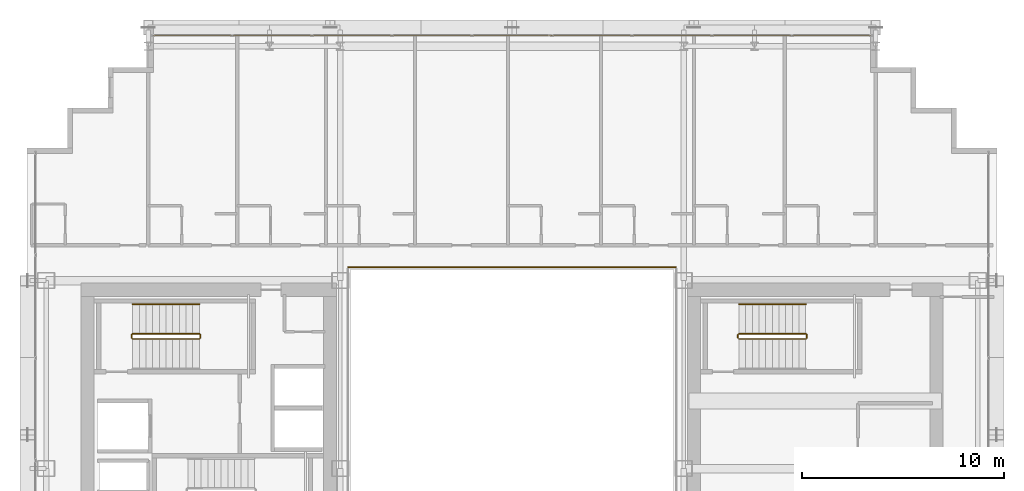
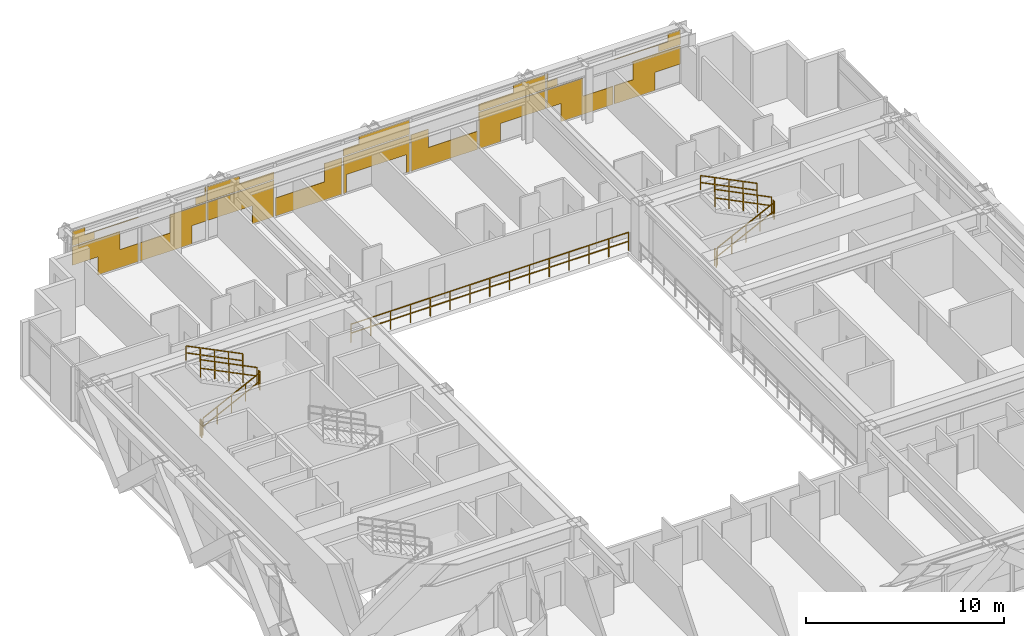
# One storey, part 36 of 36: 11 railings, 1 covering.
"""IFC4 building model written with IfcOpenShell, lengths in metres."""

from ifc_helpers import new_model, si_unit, direction, frame, origin, origin_2d, place, context, subcontext, project, spatial, rectangle, extrude, material, layer, layer_set, type_object, element, save


model = new_model("IFC4")

# Units and contexts
model_context = context("Model", 3, precision=1e-05, world=origin(), true_north=direction((0.0, 1.0)))
body_context = subcontext(model_context, "Body", "Model", "MODEL_VIEW")
ifc_project = project(units=[si_unit("LENGTHUNIT", "METRE"), si_unit("AREAUNIT", "SQUARE_METRE"), si_unit("VOLUMEUNIT", "CUBIC_METRE"), si_unit("PLANEANGLEUNIT", "RADIAN"), si_unit("MASSUNIT", "GRAM", prefix="KILO")], contexts=[model_context])

# Site, building, storey
site_placement = place(None, origin())
site = spatial("IfcSite", under=ifc_project, at=site_placement, CompositionType="ELEMENT")
building_placement = place(site_placement, origin())
building = spatial("IfcBuilding", under=site, at=building_placement, Name="Ocotamira Hotel", CompositionType="ELEMENT")
storey_placement = place(building_placement, frame((0.0, 0.0, 136.800048828125)))
storey = spatial("IfcBuildingStorey", under=building, at=storey_placement, Name="L34", CompositionType="ELEMENT", Elevation=136.800048828125)

# Covering
ifc_material_1 = material(Name="Insulated pale-metal aluminium spandrel panel", Category="aluminium")
ifc_layer = layer(ifc_material_1, 0.044921875)
ifc_layer_set = layer_set([ifc_layer], Name="Insulated pale-metal aluminium spandrel panel")
covering_type = type_object("IfcCoveringType", Name="COV-INFILL-45", PredefinedType="CLADDING", material=ifc_layer_set)
covering_placement = place(storey_placement, origin())
element("IfcCovering", 1, at=covering_placement, inside=storey, type_object=covering_type, Name="L34 Curtain Wall Infill CW-3 CW-L34-N", PredefinedType="CLADDING", context=body_context, shape_type="SweptSolid", body=[
    extrude(rectangle(XDim=2.754638671875, YDim=0.044921875, at=origin_2d()), frame((15.65771484375, 49.580078125, 1.19384765625), z_axis=(0.0, 0.0, 1.0), x_axis=(1.0, 0.0, 0.0)), (0.0, 0.0, 1.0), 1.117919921875),
    extrude(rectangle(XDim=2.359619140625, YDim=0.044921875, at=origin_2d()), frame((16.935302734375, 49.580078125, 0.0751953125), z_axis=(0.0, 0.0, 1.0), x_axis=(1.0, 0.0, 0.0)), (0.0, 0.0, 1.0), 1.117919921875),
    extrude(rectangle(XDim=1.262451171875, YDim=0.044921875, at=origin_2d()), frame((14.91162109375, 49.580078125, 2.387939453125), z_axis=(0.0, 0.0, 1.0), x_axis=(1.0, 0.0, 0.0)), (0.0, 0.0, 1.0), 0.3935546875),
    extrude(rectangle(XDim=3.834716796875, YDim=0.044921875, at=origin_2d()), frame((16.19775390625, 49.580078125, 2.782470703125), z_axis=(0.0, 0.0, 1.0), x_axis=(1.0, 0.0, 0.0)), (0.0, 0.0, 1.0), 0.0302734375),
    extrude(rectangle(XDim=0.730224609375, YDim=0.044921875, at=origin_2d()), frame((14.6455078125, 49.580078125, 2.813720703125), z_axis=(0.0, 0.0, 1.0), x_axis=(1.0, 0.0, 0.0)), (0.0, 0.0, 1.0), 0.470703125),
    extrude(rectangle(XDim=3.04833984375, YDim=0.044921875, at=origin_2d()), frame((19.72021484375, 49.580078125, 0.0751953125), z_axis=(0.0, 0.0, 1.0), x_axis=(1.0, 0.0, 0.0)), (0.0, 0.0, 1.0), 1.117919921875),
    extrude(rectangle(XDim=2.105712890625, YDim=0.044921875, at=origin_2d()), frame((21.017578125, 49.580078125, 1.19384765625), z_axis=(0.0, 0.0, 1.0), x_axis=(1.0, 0.0, 0.0)), (0.0, 0.0, 1.0), 1.117919921875),
    extrude(rectangle(XDim=0.613525390625, YDim=0.044921875, at=origin_2d()), frame((21.763916015625, 49.580078125, 2.387939453125), z_axis=(0.0, 0.0, 1.0), x_axis=(1.0, 0.0, 0.0)), (0.0, 0.0, 1.0), 0.4248046875),
    extrude(rectangle(XDim=0.081298828125, YDim=0.044921875, at=origin_2d()), frame((22.02978515625, 49.580078125, 2.813720703125), z_axis=(0.0, 0.0, 1.0), x_axis=(1.0, 0.0, 0.0)), (0.0, 0.0, 1.0), 0.470703125),
    extrude(rectangle(XDim=3.87451171875, YDim=0.044921875, at=origin_2d()), frame((24.0888671875, 49.580078125, 1.19384765625), z_axis=(0.0, 0.0, 1.0), x_axis=(1.0, 0.0, 0.0)), (0.0, 0.0, 1.0), 1.117919921875),
    extrude(rectangle(XDim=1.270751953125, YDim=0.044921875, at=origin_2d()), frame((25.390869140625, 49.580078125, 0.0751953125), z_axis=(0.0, 0.0, 1.0), x_axis=(1.0, 0.0, 0.0)), (0.0, 0.0, 1.0), 1.117919921875),
    extrude(rectangle(XDim=3.87451171875, YDim=0.044921875, at=origin_2d()), frame((24.0888671875, 49.580078125, 2.387939453125), z_axis=(0.0, 0.0, 1.0), x_axis=(1.0, 0.0, 0.0)), (0.0, 0.0, 1.0), 0.4248046875),
    extrude(rectangle(XDim=1.859130859375, YDim=0.044921875, at=origin_2d()), frame((23.081298828125, 49.580078125, 2.813720703125), z_axis=(0.0, 0.0, 1.0), x_axis=(1.0, 0.0, 0.0)), (0.0, 0.0, 1.0), 0.470703125),
    extrude(rectangle(XDim=3.87451171875, YDim=0.044921875, at=origin_2d()), frame((28.04443359375, 49.580078125, 0.0751953125), z_axis=(0.0, 0.0, 1.0), x_axis=(1.0, 0.0, 0.0)), (0.0, 0.0, 1.0), 1.117919921875),
    extrude(rectangle(XDim=1.016845703125, YDim=0.044921875, at=origin_2d()), frame((29.473388671875, 49.580078125, 1.19384765625), z_axis=(0.0, 0.0, 1.0), x_axis=(1.0, 0.0, 0.0)), (0.0, 0.0, 1.0), 1.117919921875),
    extrude(rectangle(XDim=0.181884765625, YDim=0.044921875, at=origin_2d()), frame((30.153564453125, 49.580078125, 0.0751953125), z_axis=(0.0, 0.0, 1.0), x_axis=(1.0, 0.0, 0.0)), (0.0, 0.0, 1.0), 1.117919921875),
    extrude(rectangle(XDim=3.87451171875, YDim=0.044921875, at=origin_2d()), frame((32.0, 49.580078125, 1.19384765625), z_axis=(0.0, 0.0, 1.0), x_axis=(1.0, 0.0, 0.0)), (0.0, 0.0, 1.0), 1.117919921875),
    extrude(rectangle(XDim=0.181884765625, YDim=0.044921875, at=origin_2d()), frame((33.846435546875, 49.580078125, 0.0751953125), z_axis=(0.0, 0.0, 1.0), x_axis=(1.0, 0.0, 0.0)), (0.0, 0.0, 1.0), 1.117919921875),
    extrude(rectangle(XDim=3.87451171875, YDim=0.044921875, at=origin_2d()), frame((32.0, 49.580078125, 2.387939453125), z_axis=(0.0, 0.0, 1.0), x_axis=(1.0, 0.0, 0.0)), (0.0, 0.0, 1.0), 0.4248046875),
    extrude(rectangle(XDim=2.947998046875, YDim=0.044921875, at=origin_2d()), frame((32.46337890625, 49.580078125, 2.813720703125), z_axis=(0.0, 0.0, 1.0), x_axis=(1.0, 0.0, 0.0)), (0.0, 0.0, 1.0), 0.470703125),
    extrude(rectangle(XDim=3.87451171875, YDim=0.044921875, at=origin_2d()), frame((35.95556640625, 49.580078125, 0.0751953125), z_axis=(0.0, 0.0, 1.0), x_axis=(1.0, 0.0, 0.0)), (0.0, 0.0, 1.0), 1.117919921875),
    extrude(rectangle(XDim=1.016845703125, YDim=0.044921875, at=origin_2d()), frame((34.526611328125, 49.580078125, 1.19384765625), z_axis=(0.0, 0.0, 1.0), x_axis=(1.0, 0.0, 0.0)), (0.0, 0.0, 1.0), 1.117919921875),
    extrude(rectangle(XDim=1.270751953125, YDim=0.044921875, at=origin_2d()), frame((38.609130859375, 49.580078125, 0.0751953125), z_axis=(0.0, 0.0, 1.0), x_axis=(1.0, 0.0, 0.0)), (0.0, 0.0, 1.0), 1.117919921875),
    extrude(rectangle(XDim=3.87451171875, YDim=0.044921875, at=origin_2d()), frame((39.9111328125, 49.580078125, 1.19384765625), z_axis=(0.0, 0.0, 1.0), x_axis=(1.0, 0.0, 0.0)), (0.0, 0.0, 1.0), 1.117919921875),
    extrude(rectangle(XDim=3.87451171875, YDim=0.044921875, at=origin_2d()), frame((39.9111328125, 49.580078125, 2.387939453125), z_axis=(0.0, 0.0, 1.0), x_axis=(1.0, 0.0, 0.0)), (0.0, 0.0, 1.0), 0.4248046875),
    extrude(rectangle(XDim=1.859130859375, YDim=0.044921875, at=origin_2d()), frame((40.918701171875, 49.580078125, 2.813720703125), z_axis=(0.0, 0.0, 1.0), x_axis=(1.0, 0.0, 0.0)), (0.0, 0.0, 1.0), 0.470703125),
    extrude(rectangle(XDim=2.105712890625, YDim=0.044921875, at=origin_2d()), frame((42.982421875, 49.580078125, 1.19384765625), z_axis=(0.0, 0.0, 1.0), x_axis=(1.0, 0.0, 0.0)), (0.0, 0.0, 1.0), 1.117919921875),
    extrude(rectangle(XDim=3.04833984375, YDim=0.044921875, at=origin_2d()), frame((44.27978515625, 49.580078125, 0.0751953125), z_axis=(0.0, 0.0, 1.0), x_axis=(1.0, 0.0, 0.0)), (0.0, 0.0, 1.0), 1.117919921875),
    extrude(rectangle(XDim=0.613525390625, YDim=0.044921875, at=origin_2d()), frame((42.236083984375, 49.580078125, 2.387939453125), z_axis=(0.0, 0.0, 1.0), x_axis=(1.0, 0.0, 0.0)), (0.0, 0.0, 1.0), 0.4248046875),
    extrude(rectangle(XDim=0.081298828125, YDim=0.044921875, at=origin_2d()), frame((41.97021484375, 49.580078125, 2.813720703125), z_axis=(0.0, 0.0, 1.0), x_axis=(1.0, 0.0, 0.0)), (0.0, 0.0, 1.0), 0.470703125),
    extrude(rectangle(XDim=2.359619140625, YDim=0.044921875, at=origin_2d()), frame((47.064697265625, 49.580078125, 0.0751953125), z_axis=(0.0, 0.0, 1.0), x_axis=(1.0, 0.0, 0.0)), (0.0, 0.0, 1.0), 1.117919921875),
    extrude(rectangle(XDim=2.754638671875, YDim=0.044921875, at=origin_2d()), frame((48.34228515625, 49.580078125, 1.19384765625), z_axis=(0.0, 0.0, 1.0), x_axis=(1.0, 0.0, 0.0)), (0.0, 0.0, 1.0), 1.117919921875),
    extrude(rectangle(XDim=3.834716796875, YDim=0.044921875, at=origin_2d()), frame((47.80224609375, 49.580078125, 2.782470703125), z_axis=(0.0, 0.0, 1.0), x_axis=(1.0, 0.0, 0.0)), (0.0, 0.0, 1.0), 0.0302734375),
    extrude(rectangle(XDim=1.262451171875, YDim=0.044921875, at=origin_2d()), frame((49.08837890625, 49.580078125, 2.387939453125), z_axis=(0.0, 0.0, 1.0), x_axis=(1.0, 0.0, 0.0)), (0.0, 0.0, 1.0), 0.3935546875),
    extrude(rectangle(XDim=0.730224609375, YDim=0.044921875, at=origin_2d()), frame((49.3544921875, 49.580078125, 2.813720703125), z_axis=(0.0, 0.0, 1.0), x_axis=(1.0, 0.0, 0.0)), (0.0, 0.0, 1.0), 0.470703125),
])

# Railings
ifc_material_2 = material(Name="Painted steel stair guardrail", Category="steel")
railing_type_1 = type_object("IfcRailingType", Name="RL-EDGE-1150", PredefinedType="GUARDRAIL", material=ifc_material_2)
railing_1_placement = place(storey_placement, frame((40.10009765625, 38.1201171875, 0.0)))
element("IfcRailing", 2, at=railing_1_placement, inside=storey, type_object=railing_type_1, Name="L34 Central Atrium Edge Guardrail N", PredefinedType="GUARDRAIL", context=body_context, shape_type="SweptSolid", body=[
    extrude(rectangle(XDim=0.048095703125, YDim=0.048095703125, at=origin_2d()), frame((0.0, 0.0, 1.1259765625), z_axis=(-1.0, 0.0, 0.0), x_axis=(0.0, -1.0, 0.0)), (0.0, 0.0, 1.0), 16.2001953125),
    extrude(rectangle(XDim=0.048095703125, YDim=0.048095703125, at=origin_2d()), frame((0.0, 0.0, 0.574951171875), z_axis=(-1.0, 0.0, 0.0), x_axis=(0.0, -1.0, 0.0)), (0.0, 0.0, 1.0), 16.2001953125),
    extrude(rectangle(XDim=0.0419921875, YDim=0.0419921875, at=origin_2d()), origin(), (0.0, 0.0, 1.0), 1.101806640625),
    extrude(rectangle(XDim=0.0419921875, YDim=0.0419921875, at=origin_2d()), frame((-1.1572265625, 0.0, 0.0)), (0.0, 0.0, 1.0), 1.101806640625),
    extrude(rectangle(XDim=0.0419921875, YDim=0.0419921875, at=origin_2d()), frame((-2.314208984375, 0.0, 0.0)), (0.0, 0.0, 1.0), 1.101806640625),
    extrude(rectangle(XDim=0.0419921875, YDim=0.0419921875, at=origin_2d()), frame((-3.471435546875, 0.0, 0.0)), (0.0, 0.0, 1.0), 1.101806640625),
    extrude(rectangle(XDim=0.0419921875, YDim=0.0419921875, at=origin_2d()), frame((-4.628662109375, 0.0, 0.0)), (0.0, 0.0, 1.0), 1.101806640625),
    extrude(rectangle(XDim=0.0419921875, YDim=0.0419921875, at=origin_2d()), frame((-5.785888671875, 0.0, 0.0)), (0.0, 0.0, 1.0), 1.101806640625),
    extrude(rectangle(XDim=0.0419921875, YDim=0.0419921875, at=origin_2d()), frame((-6.94287109375, 0.0, 0.0)), (0.0, 0.0, 1.0), 1.101806640625),
    extrude(rectangle(XDim=0.0419921875, YDim=0.0419921875, at=origin_2d()), frame((-8.10009765625, 0.0, 0.0)), (0.0, 0.0, 1.0), 1.101806640625),
    extrude(rectangle(XDim=0.0419921875, YDim=0.0419921875, at=origin_2d()), frame((-9.25732421875, 0.0, 0.0)), (0.0, 0.0, 1.0), 1.101806640625),
    extrude(rectangle(XDim=0.0419921875, YDim=0.0419921875, at=origin_2d()), frame((-10.414306640625, 0.0, 0.0)), (0.0, 0.0, 1.0), 1.101806640625),
    extrude(rectangle(XDim=0.0419921875, YDim=0.0419921875, at=origin_2d()), frame((-11.571533203125, 0.0, 0.0)), (0.0, 0.0, 1.0), 1.101806640625),
    extrude(rectangle(XDim=0.0419921875, YDim=0.0419921875, at=origin_2d()), frame((-12.728759765625, 0.0, 0.0)), (0.0, 0.0, 1.0), 1.101806640625),
    extrude(rectangle(XDim=0.0419921875, YDim=0.0419921875, at=origin_2d()), frame((-13.885986328125, 0.0, 0.0)), (0.0, 0.0, 1.0), 1.101806640625),
    extrude(rectangle(XDim=0.0419921875, YDim=0.0419921875, at=origin_2d()), frame((-15.04296875, 0.0, 0.0)), (0.0, 0.0, 1.0), 1.101806640625),
    extrude(rectangle(XDim=0.0419921875, YDim=0.0419921875, at=origin_2d()), frame((-16.2001953125, 0.0, 0.0)), (0.0, 0.0, 1.0), 1.101806640625),
])
ifc_material_3 = material(Name="Brushed stainless steel handrail", Category="steel")
railing_type_2 = type_object("IfcRailingType", Name="RL-HAND-900", PredefinedType="HANDRAIL", material=ifc_material_3)
for number, where, name in (
    (3, (16.530029296875, 36.280029296875, 2.127197265625), "L34 ST-2 stair handrail 2"),
    (4, (46.530029296875, 36.280029296875, 2.127197265625), "L34 ST-4 stair handrail 2"),
):
    element("IfcRailing", number, at=place(storey_placement, frame(where)), inside=storey, type_object=railing_type_2, Name=name, PredefinedType="HANDRAIL", context=body_context, shape_type="SweptSolid", body=[
        extrude(rectangle(XDim=0.048095703125, YDim=0.048095703125, at=origin_2d()), frame((0.0, 0.0, 0.8759765625), z_axis=(-0.895893744519, 0.0, 0.4442683857), x_axis=(0.0, -1.0, 0.0)), (0.0, 0.0, 1.0), 3.68359375),
        extrude(rectangle(XDim=0.048095703125, YDim=0.048095703125, at=origin_2d()), frame((0.0, 0.0, 0.449951171875), z_axis=(-0.895893744519, 0.0, 0.4442683857), x_axis=(0.0, -1.0, 0.0)), (0.0, 0.0, 1.0), 3.68359375),
        extrude(rectangle(XDim=0.0419921875, YDim=0.0419921875, at=origin_2d()), origin(), (0.0, 0.0, 1.0), 0.851806640625),
        extrude(rectangle(XDim=0.0419921875, YDim=0.0419921875, at=origin_2d()), frame((-0.824951171875, 0.0, 0.4091796875)), (0.0, 0.0, 1.0), 0.851806640625),
        extrude(rectangle(XDim=0.0419921875, YDim=0.0419921875, at=origin_2d()), frame((-1.64990234375, 0.0, 0.818359375)), (0.0, 0.0, 1.0), 0.851806640625),
        extrude(rectangle(XDim=0.0419921875, YDim=0.0419921875, at=origin_2d()), frame((-2.47509765625, 0.0, 1.227294921875)), (0.0, 0.0, 1.0), 0.851806640625),
        extrude(rectangle(XDim=0.0419921875, YDim=0.0419921875, at=origin_2d()), frame((-3.300048828125, 0.0, 1.636474609375)), (0.0, 0.0, 1.0), 0.851806640625),
    ])
railing_type_3 = type_object("IfcRailingType", Name="RL-STAIR-1100", PredefinedType="GUARDRAIL", material=ifc_material_2)
railing_2_placement = place(storey_placement, frame((13.22998046875, 34.56005859375, 0.16357421875)))
element("IfcRailing", 5, at=railing_2_placement, inside=storey, type_object=railing_type_3, Name="L34 ST-2 stair guard 1", PredefinedType="GUARDRAIL", context=body_context, shape_type="SweptSolid", body=[
    extrude(rectangle(XDim=0.048095703125, YDim=0.048095703125, at=origin_2d()), frame((0.0, 0.0, 1.076171875), z_axis=(0.895893744519, 0.0, 0.4442683857), x_axis=(0.0, 1.0, 0.0)), (0.0, 0.0, 1.0), 3.68359375),
    extrude(rectangle(XDim=0.048095703125, YDim=0.048095703125, at=origin_2d()), frame((0.0, 0.0, 0.550048828125), z_axis=(0.895893744519, 0.0, 0.4442683857), x_axis=(0.0, 1.0, 0.0)), (0.0, 0.0, 1.0), 3.68359375),
    extrude(rectangle(XDim=0.0419921875, YDim=0.0419921875, at=origin_2d()), origin(), (0.0, 0.0, 1.0), 1.052001953125),
    extrude(rectangle(XDim=0.0419921875, YDim=0.0419921875, at=origin_2d()), frame((0.824951171875, 0.0, 0.4091796875)), (0.0, 0.0, 1.0), 1.052001953125),
    extrude(rectangle(XDim=0.0419921875, YDim=0.0419921875, at=origin_2d()), frame((1.64990234375, 0.0, 0.818359375)), (0.0, 0.0, 1.0), 1.052001953125),
    extrude(rectangle(XDim=0.0419921875, YDim=0.0419921875, at=origin_2d()), frame((2.47509765625, 0.0, 1.227294921875)), (0.0, 0.0, 1.0), 1.052001953125),
    extrude(rectangle(XDim=0.0419921875, YDim=0.0419921875, at=origin_2d()), frame((3.300048828125, 0.0, 1.636474609375)), (0.0, 0.0, 1.0), 1.052001953125),
])
railing_3_placement = place(storey_placement, frame((16.580078125, 34.610107421875, 1.800048828125)))
element("IfcRailing", 6, at=railing_3_placement, inside=storey, type_object=railing_type_3, Name="L34 ST-2 stair guard 2", PredefinedType="GUARDRAIL", context=body_context, shape_type="SweptSolid", body=[
    extrude(rectangle(XDim=0.048095703125, YDim=0.048095703125, at=origin_2d()), frame((0.0, 0.0, 1.076171875), z_axis=(0.0, 1.0, 0.0), x_axis=(-1.0, 0.0, 0.0)), (0.0, 0.0, 1.0), 0.159912109375),
    extrude(rectangle(XDim=0.048095703125, YDim=0.048095703125, at=origin_2d()), frame((0.0, 0.0, 0.550048828125), z_axis=(0.0, 1.0, 0.0), x_axis=(-1.0, 0.0, 0.0)), (0.0, 0.0, 1.0), 0.159912109375),
    extrude(rectangle(XDim=0.0419921875, YDim=0.0419921875, at=origin_2d()), origin(), (0.0, 0.0, 1.0), 1.052001953125),
    extrude(rectangle(XDim=0.0419921875, YDim=0.0419921875, at=origin_2d()), frame((0.0, 0.159912109375, 0.0)), (0.0, 0.0, 1.0), 1.052001953125),
])
railing_4_placement = place(storey_placement, frame((16.530029296875, 34.820068359375, 1.963623046875)))
element("IfcRailing", 7, at=railing_4_placement, inside=storey, type_object=railing_type_3, Name="L34 ST-2 stair guard 3", PredefinedType="GUARDRAIL", context=body_context, shape_type="SweptSolid", body=[
    extrude(rectangle(XDim=0.048095703125, YDim=0.048095703125, at=origin_2d()), frame((0.0, 0.0, 1.076171875), z_axis=(-0.895920123917, 0.0, 0.444215186098), x_axis=(0.0, -1.0, 0.0)), (0.0, 0.0, 1.0), 3.683349609375),
    extrude(rectangle(XDim=0.048095703125, YDim=0.048095703125, at=origin_2d()), frame((0.0, 0.0, 0.550048828125), z_axis=(-0.895920123917, 0.0, 0.444215186098), x_axis=(0.0, -1.0, 0.0)), (0.0, 0.0, 1.0), 3.683349609375),
    extrude(rectangle(XDim=0.0419921875, YDim=0.0419921875, at=origin_2d()), origin(), (0.0, 0.0, 1.0), 1.052001953125),
    extrude(rectangle(XDim=0.0419921875, YDim=0.0419921875, at=origin_2d()), frame((-0.824951171875, 0.0, 0.4091796875)), (0.0, 0.0, 1.0), 1.052001953125),
    extrude(rectangle(XDim=0.0419921875, YDim=0.0419921875, at=origin_2d()), frame((-1.64990234375, 0.0, 0.818115234375)), (0.0, 0.0, 1.0), 1.052001953125),
    extrude(rectangle(XDim=0.0419921875, YDim=0.0419921875, at=origin_2d()), frame((-2.47509765625, 0.0, 1.22705078125)), (0.0, 0.0, 1.0), 1.052001953125),
    extrude(rectangle(XDim=0.0419921875, YDim=0.0419921875, at=origin_2d()), frame((-3.300048828125, 0.0, 1.63623046875)), (0.0, 0.0, 1.0), 1.052001953125),
])
railing_5_placement = place(storey_placement, frame((13.179931640625, 34.610107421875, 0.0)))
element("IfcRailing", 8, at=railing_5_placement, inside=storey, type_object=railing_type_3, Name="L34 ST-2 stair guard 4", PredefinedType="GUARDRAIL", context=body_context, shape_type="SweptSolid", body=[
    extrude(rectangle(XDim=0.048095703125, YDim=0.048095703125, at=origin_2d()), frame((0.0, 0.0, 1.076171875), z_axis=(0.0, 1.0, 0.0), x_axis=(-1.0, 0.0, 0.0)), (0.0, 0.0, 1.0), 0.159912109375),
    extrude(rectangle(XDim=0.048095703125, YDim=0.048095703125, at=origin_2d()), frame((0.0, 0.0, 0.550048828125), z_axis=(0.0, 1.0, 0.0), x_axis=(-1.0, 0.0, 0.0)), (0.0, 0.0, 1.0), 0.159912109375),
    extrude(rectangle(XDim=0.0419921875, YDim=0.0419921875, at=origin_2d()), origin(), (0.0, 0.0, 1.0), 1.052001953125),
    extrude(rectangle(XDim=0.0419921875, YDim=0.0419921875, at=origin_2d()), frame((0.0, 0.159912109375, 0.0)), (0.0, 0.0, 1.0), 1.052001953125),
])
railing_6_placement = place(storey_placement, frame((43.22998046875, 34.56005859375, 0.16357421875)))
element("IfcRailing", 9, at=railing_6_placement, inside=storey, type_object=railing_type_3, Name="L34 ST-4 stair guard 1", PredefinedType="GUARDRAIL", context=body_context, shape_type="SweptSolid", body=[
    extrude(rectangle(XDim=0.048095703125, YDim=0.048095703125, at=origin_2d()), frame((0.0, 0.0, 1.076171875), z_axis=(0.895893744519, 0.0, 0.4442683857), x_axis=(0.0, 1.0, 0.0)), (0.0, 0.0, 1.0), 3.68359375),
    extrude(rectangle(XDim=0.048095703125, YDim=0.048095703125, at=origin_2d()), frame((0.0, 0.0, 0.550048828125), z_axis=(0.895893744519, 0.0, 0.4442683857), x_axis=(0.0, 1.0, 0.0)), (0.0, 0.0, 1.0), 3.68359375),
    extrude(rectangle(XDim=0.0419921875, YDim=0.0419921875, at=origin_2d()), origin(), (0.0, 0.0, 1.0), 1.052001953125),
    extrude(rectangle(XDim=0.0419921875, YDim=0.0419921875, at=origin_2d()), frame((0.824951171875, 0.0, 0.4091796875)), (0.0, 0.0, 1.0), 1.052001953125),
    extrude(rectangle(XDim=0.0419921875, YDim=0.0419921875, at=origin_2d()), frame((1.64990234375, 0.0, 0.818359375)), (0.0, 0.0, 1.0), 1.052001953125),
    extrude(rectangle(XDim=0.0419921875, YDim=0.0419921875, at=origin_2d()), frame((2.47509765625, 0.0, 1.227294921875)), (0.0, 0.0, 1.0), 1.052001953125),
    extrude(rectangle(XDim=0.0419921875, YDim=0.0419921875, at=origin_2d()), frame((3.300048828125, 0.0, 1.636474609375)), (0.0, 0.0, 1.0), 1.052001953125),
])
railing_7_placement = place(storey_placement, frame((46.580078125, 34.610107421875, 1.800048828125)))
element("IfcRailing", 10, at=railing_7_placement, inside=storey, type_object=railing_type_3, Name="L34 ST-4 stair guard 2", PredefinedType="GUARDRAIL", context=body_context, shape_type="SweptSolid", body=[
    extrude(rectangle(XDim=0.048095703125, YDim=0.048095703125, at=origin_2d()), frame((0.0, 0.0, 1.076171875), z_axis=(0.0, 1.0, 0.0), x_axis=(-1.0, 0.0, 0.0)), (0.0, 0.0, 1.0), 0.159912109375),
    extrude(rectangle(XDim=0.048095703125, YDim=0.048095703125, at=origin_2d()), frame((0.0, 0.0, 0.550048828125), z_axis=(0.0, 1.0, 0.0), x_axis=(-1.0, 0.0, 0.0)), (0.0, 0.0, 1.0), 0.159912109375),
    extrude(rectangle(XDim=0.0419921875, YDim=0.0419921875, at=origin_2d()), origin(), (0.0, 0.0, 1.0), 1.052001953125),
    extrude(rectangle(XDim=0.0419921875, YDim=0.0419921875, at=origin_2d()), frame((0.0, 0.159912109375, 0.0)), (0.0, 0.0, 1.0), 1.052001953125),
])
railing_8_placement = place(storey_placement, frame((46.530029296875, 34.820068359375, 1.963623046875)))
element("IfcRailing", 11, at=railing_8_placement, inside=storey, type_object=railing_type_3, Name="L34 ST-4 stair guard 3", PredefinedType="GUARDRAIL", context=body_context, shape_type="SweptSolid", body=[
    extrude(rectangle(XDim=0.048095703125, YDim=0.048095703125, at=origin_2d()), frame((0.0, 0.0, 1.076171875), z_axis=(-0.895920123917, 0.0, 0.444215186098), x_axis=(0.0, -1.0, 0.0)), (0.0, 0.0, 1.0), 3.683349609375),
    extrude(rectangle(XDim=0.048095703125, YDim=0.048095703125, at=origin_2d()), frame((0.0, 0.0, 0.550048828125), z_axis=(-0.895920123917, 0.0, 0.444215186098), x_axis=(0.0, -1.0, 0.0)), (0.0, 0.0, 1.0), 3.683349609375),
    extrude(rectangle(XDim=0.0419921875, YDim=0.0419921875, at=origin_2d()), origin(), (0.0, 0.0, 1.0), 1.052001953125),
    extrude(rectangle(XDim=0.0419921875, YDim=0.0419921875, at=origin_2d()), frame((-0.824951171875, 0.0, 0.4091796875)), (0.0, 0.0, 1.0), 1.052001953125),
    extrude(rectangle(XDim=0.0419921875, YDim=0.0419921875, at=origin_2d()), frame((-1.64990234375, 0.0, 0.818115234375)), (0.0, 0.0, 1.0), 1.052001953125),
    extrude(rectangle(XDim=0.0419921875, YDim=0.0419921875, at=origin_2d()), frame((-2.47509765625, 0.0, 1.22705078125)), (0.0, 0.0, 1.0), 1.052001953125),
    extrude(rectangle(XDim=0.0419921875, YDim=0.0419921875, at=origin_2d()), frame((-3.300048828125, 0.0, 1.63623046875)), (0.0, 0.0, 1.0), 1.052001953125),
])
railing_9_placement = place(storey_placement, frame((43.179931640625, 34.610107421875, 0.0)))
element("IfcRailing", 12, at=railing_9_placement, inside=storey, type_object=railing_type_3, Name="L34 ST-4 stair guard 4", PredefinedType="GUARDRAIL", context=body_context, shape_type="SweptSolid", body=[
    extrude(rectangle(XDim=0.048095703125, YDim=0.048095703125, at=origin_2d()), frame((0.0, 0.0, 1.076171875), z_axis=(0.0, 1.0, 0.0), x_axis=(-1.0, 0.0, 0.0)), (0.0, 0.0, 1.0), 0.159912109375),
    extrude(rectangle(XDim=0.048095703125, YDim=0.048095703125, at=origin_2d()), frame((0.0, 0.0, 0.550048828125), z_axis=(0.0, 1.0, 0.0), x_axis=(-1.0, 0.0, 0.0)), (0.0, 0.0, 1.0), 0.159912109375),
    extrude(rectangle(XDim=0.0419921875, YDim=0.0419921875, at=origin_2d()), origin(), (0.0, 0.0, 1.0), 1.052001953125),
    extrude(rectangle(XDim=0.0419921875, YDim=0.0419921875, at=origin_2d()), frame((0.0, 0.159912109375, 0.0)), (0.0, 0.0, 1.0), 1.052001953125),
])

save(model, "model.ifc")
